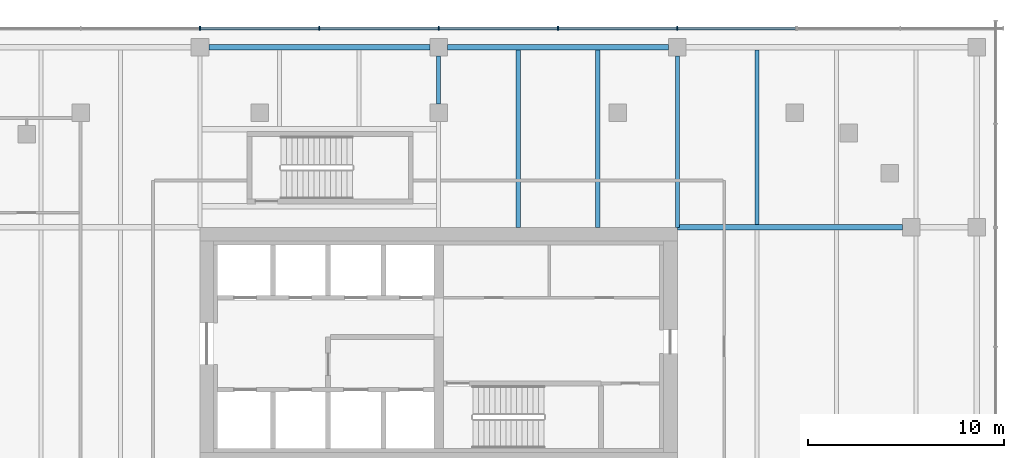
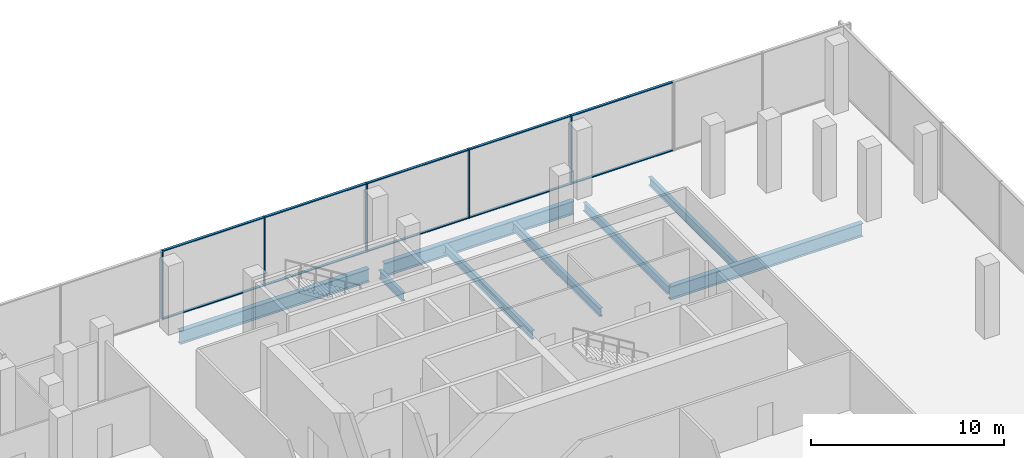
# One storey, part 13 of 33: 15 members, 8 beams, 1 element without a shape of its own.
"""IFC4 building model written with IfcOpenShell, lengths in metres."""

from ifc_helpers import new_model, si_unit, direction, frame, origin, origin_2d, place, context, subcontext, project, spatial, rectangle, i_section, extrude, material, material_profile, profile_set, type_object, element, aggregate, save


model = new_model("IFC4")

# Units and contexts
model_context = context("Model", 3, precision=1e-05, world=origin(), true_north=direction((0.0, 1.0)))
body_context = subcontext(model_context, "Body", "Model", "MODEL_VIEW")
ifc_project = project(units=[si_unit("LENGTHUNIT", "METRE"), si_unit("AREAUNIT", "SQUARE_METRE"), si_unit("VOLUMEUNIT", "CUBIC_METRE"), si_unit("PLANEANGLEUNIT", "RADIAN"), si_unit("MASSUNIT", "GRAM", prefix="KILO")], contexts=[model_context])

# Site, building, storey
site_placement = place(None, origin())
site = spatial("IfcSite", under=ifc_project, at=site_placement, CompositionType="ELEMENT")
building_placement = place(site_placement, origin())
building = spatial("IfcBuilding", under=site, at=building_placement, Name="Tessera Gate Towers", CompositionType="ELEMENT")
storey_placement = place(building_placement, frame((0.0, 0.0, 12.0)))
storey = spatial("IfcBuildingStorey", under=building, at=storey_placement, Name="L02", CompositionType="ELEMENT", Elevation=12.0)

# Beams
ifc_material_1 = material(Name="Steel 350W", Category="steel")
ifc_material_profile_1 = material_profile(ifc_material_1, i_section(OverallWidth=0.2919921875, OverallDepth=0.8349609375, WebThickness=0.013916015625, FlangeThickness=0.018798828125, at=origin_2d()), Name="W840x176")
ifc_profile_set_1 = profile_set([ifc_material_profile_1], Name="Steel 350W")
beam_type_1 = type_object("IfcBeamType", Name="FLOOR GIRDER W840x176", PredefinedType="BEAM", material=ifc_profile_set_1)
beam_1_placement = place(storey_placement, frame((122.0009765625, 48.800048828125, -0.66748046875), z_axis=(1.0, 0.0, 0.0), x_axis=(0.0, 1.0, 0.0)))
element("IfcBeam", 1, at=beam_1_placement, inside=storey, type_object=beam_type_1, Name="PD-GD-L02-404", PredefinedType="BEAM", context=body_context, shape_type="SweptSolid", body=[
    extrude(i_section(OverallWidth=0.2919921875, OverallDepth=0.8349609375, WebThickness=0.013916015625, FlangeThickness=0.018798828125, at=origin_2d()), origin(), (0.0, 0.0, 1.0), 11.4990234375),
])
for number, where, z_axis, x_axis, name in (
    (2, (98.050048828125, 58.0, -0.66748046875), (1.0, 0.0, 0.0), (0.0, 1.0, 0.0), "PD-GD-L02-412"),
    (3, (110.25, 58.0, -0.66748046875), (1.0, 0.0, 0.0), (0.0, 1.0, 0.0), "PD-GD-L02-413"),
):
    element("IfcBeam", number, at=place(storey_placement, frame(where, z_axis=z_axis, x_axis=x_axis)), inside=storey, type_object=beam_type_1, Name=name, PredefinedType="BEAM", context=body_context, shape_type="SweptSolid", body=[
        extrude(i_section(OverallWidth=0.2919921875, OverallDepth=0.8349609375, WebThickness=0.013916015625, FlangeThickness=0.018798828125, at=origin_2d()), origin(), (0.0, 0.0, 1.0), 11.300048828125),
    ])
ifc_material_2 = material(Name="Steel 350W", Category="steel")
ifc_material_profile_2 = material_profile(ifc_material_2, i_section(OverallWidth=0.208984375, OverallDepth=0.528076171875, WebThickness=0.009521484375, FlangeThickness=0.01318359375, at=origin_2d()), Name="W530x82")
ifc_profile_set_2 = profile_set([ifc_material_profile_2], Name="Steel 350W")
beam_type_2 = type_object("IfcBeamType", Name="FLOOR SECONDARY W530x82", PredefinedType="BEAM", material=ifc_profile_set_2)
beam_2_placement = place(storey_placement, frame((109.800048828125, 55.10009765625, -0.513916015625), z_axis=(0.0, 1.0, 0.0), x_axis=(-1.0, 0.0, 0.0)))
element("IfcBeam", 4, at=beam_2_placement, inside=storey, type_object=beam_type_2, Name="PD-BM-L02-535", PredefinedType="BEAM", context=body_context, shape_type="SweptSolid", body=[
    extrude(i_section(OverallWidth=0.208984375, OverallDepth=0.528076171875, WebThickness=0.009521484375, FlangeThickness=0.01318359375, at=origin_2d()), origin(), (0.0, 0.0, 1.0), 2.449951171875),
])
for number, where, z_axis, x_axis, name in (
    (5, (113.86669921875, 48.800048828125, -0.513916015625), (0.0, 1.0, 0.0), (-1.0, 0.0, 0.0), "PD-BM-L02-538"),
    (6, (117.933349609375, 48.800048828125, -0.513916015625), (0.0, 1.0, 0.0), (-1.0, 0.0, 0.0), "PD-BM-L02-541"),
):
    element("IfcBeam", number, at=place(storey_placement, frame(where, z_axis=z_axis, x_axis=x_axis)), inside=storey, type_object=beam_type_2, Name=name, PredefinedType="BEAM", context=body_context, shape_type="SweptSolid", body=[
        extrude(i_section(OverallWidth=0.208984375, OverallDepth=0.528076171875, WebThickness=0.009521484375, FlangeThickness=0.01318359375, at=origin_2d()), origin(), (0.0, 0.0, 1.0), 9.053955078125),
    ])
beam_3_placement = place(storey_placement, frame((122.0, 48.800048828125, -0.513916015625), z_axis=(0.0, 1.0, 0.0), x_axis=(-1.0, 0.0, 0.0)))
element("IfcBeam", 7, at=beam_3_placement, inside=storey, type_object=beam_type_2, Name="PD-BM-L02-542", PredefinedType="BEAM", context=body_context, shape_type="SweptSolid", body=[
    extrude(i_section(OverallWidth=0.208984375, OverallDepth=0.528076171875, WebThickness=0.009521484375, FlangeThickness=0.01318359375, at=origin_2d()), origin(), (0.0, 0.0, 1.0), 8.75),
])
beam_4_placement = place(storey_placement, frame((126.066650390625, 48.946044921875, -0.513916015625), z_axis=(0.0, 1.0, 0.0), x_axis=(-1.0, 0.0, 0.0)))
element("IfcBeam", 8, at=beam_4_placement, inside=storey, type_object=beam_type_2, Name="PD-BM-L02-546", PredefinedType="BEAM", context=body_context, shape_type="SweptSolid", body=[
    extrude(i_section(OverallWidth=0.208984375, OverallDepth=0.528076171875, WebThickness=0.009521484375, FlangeThickness=0.01318359375, at=origin_2d()), origin(), (0.0, 0.0, 1.0), 8.907958984375),
])

# Curtain wall, members
ifc_material_3 = material(Name="Aluminium frame", Category="aluminium")
curtain_wall_type = type_object("IfcCurtainWallType", Name="CW-S1 podium storefront", PredefinedType="NOTDEFINED", material=ifc_material_3)
curtain_wall_placement = place(storey_placement, origin())
curtain_wall = element("IfcCurtainWall", 9, at=curtain_wall_placement, inside=storey, type_object=curtain_wall_type, Name="Curtain wall podium storefront 0193", PredefinedType="NOTDEFINED")
ifc_material_4 = material(Name="Aluminium frame", Category="aluminium")
ifc_material_profile_3 = material_profile(ifc_material_4, rectangle(XDim=0.06005859375, YDim=0.199951171875, at=origin_2d()), Name="AL 60x200")
ifc_profile_set_3 = profile_set([ifc_material_profile_3], Name="Aluminium frame")
member_type_1 = type_object("IfcMemberType", Name="MU-S1 mullion 60x200", PredefinedType="MULLION", material=ifc_profile_set_3)
member_1_placement = place(storey_placement, frame((122.0, 58.97509765625, 0.0), z_axis=(0.0, 0.0, 1.0), x_axis=(-1.0, 0.0, 0.0)))
member_1 = element("IfcMember", 10, at=member_1_placement, type_object=member_type_1, Name="PD-CW1-0193 mullion 2", PredefinedType="MULLION", context=body_context, shape_type="SweptSolid", body=[
    extrude(rectangle(XDim=0.06005859375, YDim=0.199951171875, at=origin_2d()), origin(), (0.0, 0.0, 1.0), 4.35009765625),
])
member_2_placement = place(storey_placement, frame((115.89990234375, 58.97509765625, 0.0), z_axis=(0.0, 0.0, 1.0), x_axis=(-1.0, 0.0, 0.0)))
member_2 = element("IfcMember", 11, at=member_2_placement, type_object=member_type_1, Name="PD-CW1-0193 mullion 3", PredefinedType="MULLION", context=body_context, shape_type="SweptSolid", body=[
    extrude(rectangle(XDim=0.06005859375, YDim=0.199951171875, at=origin_2d()), origin(), (0.0, 0.0, 1.0), 4.35009765625),
])
member_3_placement = place(storey_placement, frame((109.800048828125, 58.97509765625, 0.0), z_axis=(0.0, 0.0, 1.0), x_axis=(-1.0, 0.0, 0.0)))
member_3 = element("IfcMember", 12, at=member_3_placement, type_object=member_type_1, Name="PD-CW1-0193 mullion 4", PredefinedType="MULLION", context=body_context, shape_type="SweptSolid", body=[
    extrude(rectangle(XDim=0.06005859375, YDim=0.199951171875, at=origin_2d()), origin(), (0.0, 0.0, 1.0), 4.35009765625),
])
member_4_placement = place(storey_placement, frame((103.699951171875, 58.97509765625, 0.0), z_axis=(0.0, 0.0, 1.0), x_axis=(-1.0, 0.0, 0.0)))
member_4 = element("IfcMember", 13, at=member_4_placement, type_object=member_type_1, Name="PD-CW1-0193 mullion 5", PredefinedType="MULLION", context=body_context, shape_type="SweptSolid", body=[
    extrude(rectangle(XDim=0.06005859375, YDim=0.199951171875, at=origin_2d()), origin(), (0.0, 0.0, 1.0), 4.35009765625),
])
member_5_placement = place(storey_placement, frame((97.60009765625, 58.97509765625, 0.0), z_axis=(0.0, 0.0, 1.0), x_axis=(-1.0, 0.0, 0.0)))
member_5 = element("IfcMember", 14, at=member_5_placement, type_object=member_type_1, Name="PD-CW1-0193 mullion 6", PredefinedType="MULLION", context=body_context, shape_type="SweptSolid", body=[
    extrude(rectangle(XDim=0.06005859375, YDim=0.199951171875, at=origin_2d()), origin(), (0.0, 0.0, 1.0), 4.35009765625),
])
ifc_material_5 = material(Name="Aluminium frame", Category="aluminium")
ifc_material_profile_4 = material_profile(ifc_material_5, rectangle(XDim=0.14990234375, YDim=0.06005859375, at=origin_2d()), Name="AL 60x150")
ifc_profile_set_4 = profile_set([ifc_material_profile_4], Name="Aluminium frame")
member_type_2 = type_object("IfcMemberType", Name="TR-S1 transom 60x150", PredefinedType="USERDEFINED", material=ifc_profile_set_4)
member_6_placement = place(storey_placement, frame((128.0400390625, 58.97509765625, 0.030029296875), z_axis=(-1.0, 0.0, 0.0), x_axis=(0.0, -1.0, 0.0)))
member_6 = element("IfcMember", 15, at=member_6_placement, type_object=member_type_2, Name="PD-CW1-0193 transom 1.1", ObjectType="TRANSOM", PredefinedType="USERDEFINED", context=body_context, shape_type="SweptSolid", body=[
    extrude(rectangle(XDim=0.14990234375, YDim=0.06005859375, at=origin_2d()), origin(), (0.0, 0.0, 1.0), 6.010009765625),
])
member_7_placement = place(storey_placement, frame((128.0400390625, 58.97509765625, 4.320068359375), z_axis=(-1.0, 0.0, 0.0), x_axis=(0.0, -1.0, 0.0)))
member_7 = element("IfcMember", 16, at=member_7_placement, type_object=member_type_2, Name="PD-CW1-0193 transom 1.2", ObjectType="TRANSOM", PredefinedType="USERDEFINED", context=body_context, shape_type="SweptSolid", body=[
    extrude(rectangle(XDim=0.14990234375, YDim=0.06005859375, at=origin_2d()), origin(), (0.0, 0.0, 1.0), 6.010009765625),
])
member_8_placement = place(storey_placement, frame((121.969970703125, 58.97509765625, 0.030029296875), z_axis=(-1.0, 0.0, 0.0), x_axis=(0.0, -1.0, 0.0)))
member_8 = element("IfcMember", 17, at=member_8_placement, type_object=member_type_2, Name="PD-CW1-0193 transom 2.1", ObjectType="TRANSOM", PredefinedType="USERDEFINED", context=body_context, shape_type="SweptSolid", body=[
    extrude(rectangle(XDim=0.14990234375, YDim=0.06005859375, at=origin_2d()), origin(), (0.0, 0.0, 1.0), 6.0400390625),
])
member_9_placement = place(storey_placement, frame((121.969970703125, 58.97509765625, 4.320068359375), z_axis=(-1.0, 0.0, 0.0), x_axis=(0.0, -1.0, 0.0)))
member_9 = element("IfcMember", 18, at=member_9_placement, type_object=member_type_2, Name="PD-CW1-0193 transom 2.2", ObjectType="TRANSOM", PredefinedType="USERDEFINED", context=body_context, shape_type="SweptSolid", body=[
    extrude(rectangle(XDim=0.14990234375, YDim=0.06005859375, at=origin_2d()), origin(), (0.0, 0.0, 1.0), 6.0400390625),
])
member_10_placement = place(storey_placement, frame((115.8701171875, 58.97509765625, 0.030029296875), z_axis=(-1.0, 0.0, 0.0), x_axis=(0.0, -1.0, 0.0)))
member_10 = element("IfcMember", 19, at=member_10_placement, type_object=member_type_2, Name="PD-CW1-0193 transom 3.1", ObjectType="TRANSOM", PredefinedType="USERDEFINED", context=body_context, shape_type="SweptSolid", body=[
    extrude(rectangle(XDim=0.14990234375, YDim=0.06005859375, at=origin_2d()), origin(), (0.0, 0.0, 1.0), 6.0400390625),
])
member_11_placement = place(storey_placement, frame((115.8701171875, 58.97509765625, 4.320068359375), z_axis=(-1.0, 0.0, 0.0), x_axis=(0.0, -1.0, 0.0)))
member_11 = element("IfcMember", 20, at=member_11_placement, type_object=member_type_2, Name="PD-CW1-0193 transom 3.2", ObjectType="TRANSOM", PredefinedType="USERDEFINED", context=body_context, shape_type="SweptSolid", body=[
    extrude(rectangle(XDim=0.14990234375, YDim=0.06005859375, at=origin_2d()), origin(), (0.0, 0.0, 1.0), 6.0400390625),
])
member_12_placement = place(storey_placement, frame((109.77001953125, 58.97509765625, 0.030029296875), z_axis=(-1.0, 0.0, 0.0), x_axis=(0.0, -1.0, 0.0)))
member_12 = element("IfcMember", 21, at=member_12_placement, type_object=member_type_2, Name="PD-CW1-0193 transom 4.1", ObjectType="TRANSOM", PredefinedType="USERDEFINED", context=body_context, shape_type="SweptSolid", body=[
    extrude(rectangle(XDim=0.14990234375, YDim=0.06005859375, at=origin_2d()), origin(), (0.0, 0.0, 1.0), 6.0400390625),
])
member_13_placement = place(storey_placement, frame((109.77001953125, 58.97509765625, 4.320068359375), z_axis=(-1.0, 0.0, 0.0), x_axis=(0.0, -1.0, 0.0)))
member_13 = element("IfcMember", 22, at=member_13_placement, type_object=member_type_2, Name="PD-CW1-0193 transom 4.2", ObjectType="TRANSOM", PredefinedType="USERDEFINED", context=body_context, shape_type="SweptSolid", body=[
    extrude(rectangle(XDim=0.14990234375, YDim=0.06005859375, at=origin_2d()), origin(), (0.0, 0.0, 1.0), 6.0400390625),
])
member_14_placement = place(storey_placement, frame((103.669921875, 58.97509765625, 0.030029296875), z_axis=(-1.0, 0.0, 0.0), x_axis=(0.0, -1.0, 0.0)))
member_14 = element("IfcMember", 23, at=member_14_placement, type_object=member_type_2, Name="PD-CW1-0193 transom 5.1", ObjectType="TRANSOM", PredefinedType="USERDEFINED", context=body_context, shape_type="SweptSolid", body=[
    extrude(rectangle(XDim=0.14990234375, YDim=0.06005859375, at=origin_2d()), origin(), (0.0, 0.0, 1.0), 6.0400390625),
])
member_15_placement = place(storey_placement, frame((103.669921875, 58.97509765625, 4.320068359375), z_axis=(-1.0, 0.0, 0.0), x_axis=(0.0, -1.0, 0.0)))
member_15 = element("IfcMember", 24, at=member_15_placement, type_object=member_type_2, Name="PD-CW1-0193 transom 5.2", ObjectType="TRANSOM", PredefinedType="USERDEFINED", context=body_context, shape_type="SweptSolid", body=[
    extrude(rectangle(XDim=0.14990234375, YDim=0.06005859375, at=origin_2d()), origin(), (0.0, 0.0, 1.0), 6.0400390625),
])
aggregate(curtain_wall, [member_1, member_2, member_3, member_4, member_5, member_6, member_7, member_8, member_9, member_10, member_11, member_12, member_13, member_14, member_15])

save(model, "model.ifc")
